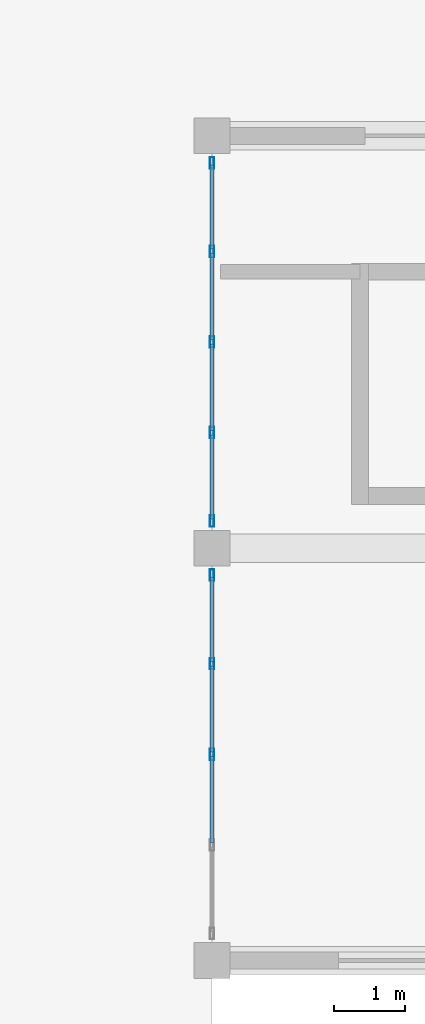
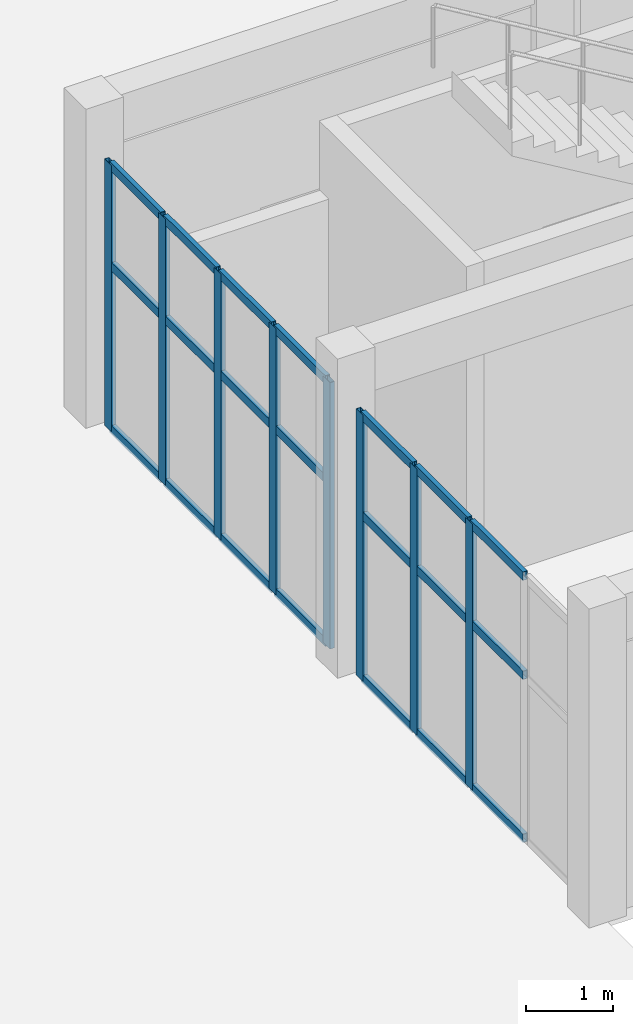
# One storey, part 20 of 132: 29 members, 2 elements without a shape of their own.
"""IFC4 building model written with IfcOpenShell, lengths in metres."""

from ifc_helpers import new_model, si_unit, direction, frame, origin, origin_2d, place, context, subcontext, project, spatial, hollow_rectangle, extrude, material, material_profile, profile_set, type_object, element, aggregate, save


model = new_model("IFC4")

# Units and contexts
model_context = context("Model", 3, precision=1e-05, world=origin(), true_north=direction((0.0, 1.0)))
body_context = subcontext(model_context, "Body", "Model", "MODEL_VIEW")
ifc_project = project(units=[si_unit("LENGTHUNIT", "METRE"), si_unit("AREAUNIT", "SQUARE_METRE"), si_unit("VOLUMEUNIT", "CUBIC_METRE"), si_unit("PLANEANGLEUNIT", "RADIAN"), si_unit("MASSUNIT", "GRAM", prefix="KILO")], contexts=[model_context])

# Site, building, storey
site_placement = place(None, origin())
site = spatial("IfcSite", under=ifc_project, at=site_placement, CompositionType="ELEMENT")
building_placement = place(site_placement, origin())
building = spatial("IfcBuilding", under=site, at=building_placement, Name="Tanwirah Colonnade Gardens", CompositionType="ELEMENT")
storey_placement = place(building_placement, origin())
storey = spatial("IfcBuildingStorey", under=building, at=storey_placement, Name="L00", CompositionType="ELEMENT", Elevation=0.0)

# Curtain wall, members
ifc_material_1 = material(Name="Bronze-anodised aluminium and solar-control low-E glass", Category="aluminium")
curtain_wall_type = type_object("IfcCurtainWallType", Name="CW-SHP", PredefinedType="NOTDEFINED", material=ifc_material_1)
curtain_wall_1_placement = place(storey_placement, origin())
curtain_wall_1 = element("IfcCurtainWall", 1, at=curtain_wall_1_placement, inside=storey, type_object=curtain_wall_type, Name="Curtain Wall CW-SHP-E-L00-W-1", PredefinedType="NOTDEFINED")
ifc_material_2 = material(Name="Bronze-anodised aluminium", Category="aluminium")
ifc_material_profile_1 = material_profile(ifc_material_2, hollow_rectangle(XDim=0.06005859375, YDim=0.159912109375, WallThickness=0.00390625, at=origin_2d()), Name="CW-MUL 60x160x4")
ifc_profile_set_1 = profile_set([ifc_material_profile_1], Name="Bronze-anodised aluminium")
member_type_1 = type_object("IfcMemberType", Name="CWM-60x160", PredefinedType="MULLION", material=ifc_profile_set_1)
member_1_placement = place(storey_placement, frame((102.0, 19.5, 0.0), z_axis=(0.0, 0.0, 1.0), x_axis=(-1.0, 0.0, 0.0)))
member_1 = element("IfcMember", 2, at=member_1_placement, type_object=member_type_1, Name="CW-SHP mullion 3", PredefinedType="MULLION", context=body_context, shape_type="SweptSolid", body=[
    extrude(hollow_rectangle(XDim=0.06005859375, YDim=0.159912109375, WallThickness=0.00390625, at=origin_2d()), origin(), (0.0, 0.0, 1.0), 3.75),
])
member_2_placement = place(storey_placement, frame((102.0, 20.77490234375, 0.0), z_axis=(0.0, 0.0, 1.0), x_axis=(-1.0, 0.0, 0.0)))
member_2 = element("IfcMember", 3, at=member_2_placement, type_object=member_type_1, Name="CW-SHP mullion 4", PredefinedType="MULLION", context=body_context, shape_type="SweptSolid", body=[
    extrude(hollow_rectangle(XDim=0.06005859375, YDim=0.159912109375, WallThickness=0.00390625, at=origin_2d()), origin(), (0.0, 0.0, 1.0), 3.75),
])
member_3_placement = place(storey_placement, frame((102.0, 22.02001953125, 0.0), z_axis=(0.0, 0.0, 1.0), x_axis=(-1.0, 0.0, 0.0)))
member_3 = element("IfcMember", 4, at=member_3_placement, type_object=member_type_1, Name="CW-SHP mullion 5", PredefinedType="MULLION", context=body_context, shape_type="SweptSolid", body=[
    extrude(hollow_rectangle(XDim=0.06005859375, YDim=0.159912109375, WallThickness=0.00390625, at=origin_2d()), origin(), (0.0, 0.0, 1.0), 3.75),
])

curtain_wall_2_placement = place(storey_placement, origin())
curtain_wall_2 = element("IfcCurtainWall", 5, at=curtain_wall_2_placement, inside=storey, type_object=curtain_wall_type, Name="Curtain Wall CW-SHP-E-L00-W-2", PredefinedType="NOTDEFINED")
member_4_placement = place(storey_placement, frame((102.0, 22.780029296875, 0.0), z_axis=(0.0, 0.0, 1.0), x_axis=(-1.0, 0.0, 0.0)))
member_4 = element("IfcMember", 6, at=member_4_placement, type_object=member_type_1, Name="CW-SHP mullion 1", PredefinedType="MULLION", context=body_context, shape_type="SweptSolid", body=[
    extrude(hollow_rectangle(XDim=0.06005859375, YDim=0.159912109375, WallThickness=0.00390625, at=origin_2d()), origin(), (0.0, 0.0, 1.0), 3.75),
])
member_5_placement = place(storey_placement, frame((102.0, 24.02490234375, 0.0), z_axis=(0.0, 0.0, 1.0), x_axis=(-1.0, 0.0, 0.0)))
member_5 = element("IfcMember", 7, at=member_5_placement, type_object=member_type_1, Name="CW-SHP mullion 2", PredefinedType="MULLION", context=body_context, shape_type="SweptSolid", body=[
    extrude(hollow_rectangle(XDim=0.06005859375, YDim=0.159912109375, WallThickness=0.00390625, at=origin_2d()), origin(), (0.0, 0.0, 1.0), 3.75),
])
member_6_placement = place(storey_placement, frame((102.0, 25.300048828125, 0.0), z_axis=(0.0, 0.0, 1.0), x_axis=(-1.0, 0.0, 0.0)))
member_6 = element("IfcMember", 8, at=member_6_placement, type_object=member_type_1, Name="CW-SHP mullion 3", PredefinedType="MULLION", context=body_context, shape_type="SweptSolid", body=[
    extrude(hollow_rectangle(XDim=0.06005859375, YDim=0.159912109375, WallThickness=0.00390625, at=origin_2d()), origin(), (0.0, 0.0, 1.0), 3.75),
])
member_7_placement = place(storey_placement, frame((102.0, 26.574951171875, 0.0), z_axis=(0.0, 0.0, 1.0), x_axis=(-1.0, 0.0, 0.0)))
member_7 = element("IfcMember", 9, at=member_7_placement, type_object=member_type_1, Name="CW-SHP mullion 4", PredefinedType="MULLION", context=body_context, shape_type="SweptSolid", body=[
    extrude(hollow_rectangle(XDim=0.06005859375, YDim=0.159912109375, WallThickness=0.00390625, at=origin_2d()), origin(), (0.0, 0.0, 1.0), 3.75),
])
member_8_placement = place(storey_placement, frame((102.0, 27.820068359375, 0.0), z_axis=(0.0, 0.0, 1.0), x_axis=(-1.0, 0.0, 0.0)))
member_8 = element("IfcMember", 10, at=member_8_placement, type_object=member_type_1, Name="CW-SHP mullion 5", PredefinedType="MULLION", context=body_context, shape_type="SweptSolid", body=[
    extrude(hollow_rectangle(XDim=0.06005859375, YDim=0.159912109375, WallThickness=0.00390625, at=origin_2d()), origin(), (0.0, 0.0, 1.0), 3.75),
])

# Member
ifc_material_profile_2 = material_profile(ifc_material_2, hollow_rectangle(XDim=0.06005859375, YDim=0.1201171875, WallThickness=0.00390625, at=origin_2d()), Name="CW-TRN 60x120x4")
ifc_profile_set_2 = profile_set([ifc_material_profile_2], Name="Bronze-anodised aluminium")
member_type_2 = type_object("IfcMemberType", Name="CWT-60x120", PredefinedType="USERDEFINED", material=ifc_profile_set_2)
member_9_placement = place(storey_placement, frame((102.0, 18.2548828125, 0.030029296875), z_axis=(0.0, 1.0, 0.0), x_axis=(-1.0, 0.0, 0.0)))
member_9 = element("IfcMember", 11, at=member_9_placement, type_object=member_type_2, Name="CW-SHP transom 2.1", ObjectType="TRANSOM", PredefinedType="USERDEFINED", context=body_context, shape_type="SweptSolid", body=[
    extrude(hollow_rectangle(XDim=0.06005859375, YDim=0.1201171875, WallThickness=0.00390625, at=origin_2d()), origin(), (0.0, 0.0, 1.0), 1.215087890625),
])

member_10_placement = place(storey_placement, frame((102.0, 18.2548828125, 2.324951171875), z_axis=(0.0, 1.0, 0.0), x_axis=(-1.0, 0.0, 0.0)))
member_10 = element("IfcMember", 12, at=member_10_placement, type_object=member_type_2, Name="CW-SHP transom 2.2", ObjectType="TRANSOM", PredefinedType="USERDEFINED", context=body_context, shape_type="SweptSolid", body=[
    extrude(hollow_rectangle(XDim=0.06005859375, YDim=0.1201171875, WallThickness=0.00390625, at=origin_2d()), origin(), (0.0, 0.0, 1.0), 1.215087890625),
])

member_11_placement = place(storey_placement, frame((102.0, 18.2548828125, 3.719970703125), z_axis=(0.0, 1.0, 0.0), x_axis=(-1.0, 0.0, 0.0)))
member_11 = element("IfcMember", 13, at=member_11_placement, type_object=member_type_2, Name="CW-SHP transom 2.3", ObjectType="TRANSOM", PredefinedType="USERDEFINED", context=body_context, shape_type="SweptSolid", body=[
    extrude(hollow_rectangle(XDim=0.06005859375, YDim=0.1201171875, WallThickness=0.00390625, at=origin_2d()), origin(), (0.0, 0.0, 1.0), 1.215087890625),
])

member_12_placement = place(storey_placement, frame((102.0, 19.530029296875, 0.030029296875), z_axis=(0.0, 1.0, 0.0), x_axis=(-1.0, 0.0, 0.0)))
member_12 = element("IfcMember", 14, at=member_12_placement, type_object=member_type_2, Name="CW-SHP transom 3.1", ObjectType="TRANSOM", PredefinedType="USERDEFINED", context=body_context, shape_type="SweptSolid", body=[
    extrude(hollow_rectangle(XDim=0.06005859375, YDim=0.1201171875, WallThickness=0.00390625, at=origin_2d()), origin(), (0.0, 0.0, 1.0), 1.215087890625),
])

member_13_placement = place(storey_placement, frame((102.0, 19.530029296875, 2.324951171875), z_axis=(0.0, 1.0, 0.0), x_axis=(-1.0, 0.0, 0.0)))
member_13 = element("IfcMember", 15, at=member_13_placement, type_object=member_type_2, Name="CW-SHP transom 3.2", ObjectType="TRANSOM", PredefinedType="USERDEFINED", context=body_context, shape_type="SweptSolid", body=[
    extrude(hollow_rectangle(XDim=0.06005859375, YDim=0.1201171875, WallThickness=0.00390625, at=origin_2d()), origin(), (0.0, 0.0, 1.0), 1.215087890625),
])

member_14_placement = place(storey_placement, frame((102.0, 19.530029296875, 3.719970703125), z_axis=(0.0, 1.0, 0.0), x_axis=(-1.0, 0.0, 0.0)))
member_14 = element("IfcMember", 16, at=member_14_placement, type_object=member_type_2, Name="CW-SHP transom 3.3", ObjectType="TRANSOM", PredefinedType="USERDEFINED", context=body_context, shape_type="SweptSolid", body=[
    extrude(hollow_rectangle(XDim=0.06005859375, YDim=0.1201171875, WallThickness=0.00390625, at=origin_2d()), origin(), (0.0, 0.0, 1.0), 1.215087890625),
])

member_15_placement = place(storey_placement, frame((102.0, 20.804931640625, 0.030029296875), z_axis=(0.0, 1.0, 0.0), x_axis=(-1.0, 0.0, 0.0)))
member_15 = element("IfcMember", 17, at=member_15_placement, type_object=member_type_2, Name="CW-SHP transom 4.1", ObjectType="TRANSOM", PredefinedType="USERDEFINED", context=body_context, shape_type="SweptSolid", body=[
    extrude(hollow_rectangle(XDim=0.06005859375, YDim=0.1201171875, WallThickness=0.00390625, at=origin_2d()), origin(), (0.0, 0.0, 1.0), 1.18505859375),
])

member_16_placement = place(storey_placement, frame((102.0, 20.804931640625, 2.324951171875), z_axis=(0.0, 1.0, 0.0), x_axis=(-1.0, 0.0, 0.0)))
member_16 = element("IfcMember", 18, at=member_16_placement, type_object=member_type_2, Name="CW-SHP transom 4.2", ObjectType="TRANSOM", PredefinedType="USERDEFINED", context=body_context, shape_type="SweptSolid", body=[
    extrude(hollow_rectangle(XDim=0.06005859375, YDim=0.1201171875, WallThickness=0.00390625, at=origin_2d()), origin(), (0.0, 0.0, 1.0), 1.18505859375),
])

member_17_placement = place(storey_placement, frame((102.0, 20.804931640625, 3.719970703125), z_axis=(0.0, 1.0, 0.0), x_axis=(-1.0, 0.0, 0.0)))
member_17 = element("IfcMember", 19, at=member_17_placement, type_object=member_type_2, Name="CW-SHP transom 4.3", ObjectType="TRANSOM", PredefinedType="USERDEFINED", context=body_context, shape_type="SweptSolid", body=[
    extrude(hollow_rectangle(XDim=0.06005859375, YDim=0.1201171875, WallThickness=0.00390625, at=origin_2d()), origin(), (0.0, 0.0, 1.0), 1.18505859375),
])

aggregate(curtain_wall_1, [member_1, member_2, member_3, member_9, member_10, member_11, member_12, member_13, member_14, member_15, member_16, member_17])

member_18_placement = place(storey_placement, frame((102.0, 22.81005859375, 0.030029296875), z_axis=(0.0, 1.0, 0.0), x_axis=(-1.0, 0.0, 0.0)))
member_18 = element("IfcMember", 20, at=member_18_placement, type_object=member_type_2, Name="CW-SHP transom 1.1", ObjectType="TRANSOM", PredefinedType="USERDEFINED", context=body_context, shape_type="SweptSolid", body=[
    extrude(hollow_rectangle(XDim=0.06005859375, YDim=0.1201171875, WallThickness=0.00390625, at=origin_2d()), origin(), (0.0, 0.0, 1.0), 1.18505859375),
])

member_19_placement = place(storey_placement, frame((102.0, 22.81005859375, 2.324951171875), z_axis=(0.0, 1.0, 0.0), x_axis=(-1.0, 0.0, 0.0)))
member_19 = element("IfcMember", 21, at=member_19_placement, type_object=member_type_2, Name="CW-SHP transom 1.2", ObjectType="TRANSOM", PredefinedType="USERDEFINED", context=body_context, shape_type="SweptSolid", body=[
    extrude(hollow_rectangle(XDim=0.06005859375, YDim=0.1201171875, WallThickness=0.00390625, at=origin_2d()), origin(), (0.0, 0.0, 1.0), 1.18505859375),
])

member_20_placement = place(storey_placement, frame((102.0, 22.81005859375, 3.719970703125), z_axis=(0.0, 1.0, 0.0), x_axis=(-1.0, 0.0, 0.0)))
member_20 = element("IfcMember", 22, at=member_20_placement, type_object=member_type_2, Name="CW-SHP transom 1.3", ObjectType="TRANSOM", PredefinedType="USERDEFINED", context=body_context, shape_type="SweptSolid", body=[
    extrude(hollow_rectangle(XDim=0.06005859375, YDim=0.1201171875, WallThickness=0.00390625, at=origin_2d()), origin(), (0.0, 0.0, 1.0), 1.18505859375),
])

member_21_placement = place(storey_placement, frame((102.0, 24.054931640625, 0.030029296875), z_axis=(0.0, 1.0, 0.0), x_axis=(-1.0, 0.0, 0.0)))
member_21 = element("IfcMember", 23, at=member_21_placement, type_object=member_type_2, Name="CW-SHP transom 2.1", ObjectType="TRANSOM", PredefinedType="USERDEFINED", context=body_context, shape_type="SweptSolid", body=[
    extrude(hollow_rectangle(XDim=0.06005859375, YDim=0.1201171875, WallThickness=0.00390625, at=origin_2d()), origin(), (0.0, 0.0, 1.0), 1.215087890625),
])

member_22_placement = place(storey_placement, frame((102.0, 24.054931640625, 2.324951171875), z_axis=(0.0, 1.0, 0.0), x_axis=(-1.0, 0.0, 0.0)))
member_22 = element("IfcMember", 24, at=member_22_placement, type_object=member_type_2, Name="CW-SHP transom 2.2", ObjectType="TRANSOM", PredefinedType="USERDEFINED", context=body_context, shape_type="SweptSolid", body=[
    extrude(hollow_rectangle(XDim=0.06005859375, YDim=0.1201171875, WallThickness=0.00390625, at=origin_2d()), origin(), (0.0, 0.0, 1.0), 1.215087890625),
])

member_23_placement = place(storey_placement, frame((102.0, 24.054931640625, 3.719970703125), z_axis=(0.0, 1.0, 0.0), x_axis=(-1.0, 0.0, 0.0)))
member_23 = element("IfcMember", 25, at=member_23_placement, type_object=member_type_2, Name="CW-SHP transom 2.3", ObjectType="TRANSOM", PredefinedType="USERDEFINED", context=body_context, shape_type="SweptSolid", body=[
    extrude(hollow_rectangle(XDim=0.06005859375, YDim=0.1201171875, WallThickness=0.00390625, at=origin_2d()), origin(), (0.0, 0.0, 1.0), 1.215087890625),
])

member_24_placement = place(storey_placement, frame((102.0, 25.330078125, 0.030029296875), z_axis=(0.0, 1.0, 0.0), x_axis=(-1.0, 0.0, 0.0)))
member_24 = element("IfcMember", 26, at=member_24_placement, type_object=member_type_2, Name="CW-SHP transom 3.1", ObjectType="TRANSOM", PredefinedType="USERDEFINED", context=body_context, shape_type="SweptSolid", body=[
    extrude(hollow_rectangle(XDim=0.06005859375, YDim=0.1201171875, WallThickness=0.00390625, at=origin_2d()), origin(), (0.0, 0.0, 1.0), 1.21484375),
])

member_25_placement = place(storey_placement, frame((102.0, 25.330078125, 2.324951171875), z_axis=(0.0, 1.0, 0.0), x_axis=(-1.0, 0.0, 0.0)))
member_25 = element("IfcMember", 27, at=member_25_placement, type_object=member_type_2, Name="CW-SHP transom 3.2", ObjectType="TRANSOM", PredefinedType="USERDEFINED", context=body_context, shape_type="SweptSolid", body=[
    extrude(hollow_rectangle(XDim=0.06005859375, YDim=0.1201171875, WallThickness=0.00390625, at=origin_2d()), origin(), (0.0, 0.0, 1.0), 1.21484375),
])

member_26_placement = place(storey_placement, frame((102.0, 25.330078125, 3.719970703125), z_axis=(0.0, 1.0, 0.0), x_axis=(-1.0, 0.0, 0.0)))
member_26 = element("IfcMember", 28, at=member_26_placement, type_object=member_type_2, Name="CW-SHP transom 3.3", ObjectType="TRANSOM", PredefinedType="USERDEFINED", context=body_context, shape_type="SweptSolid", body=[
    extrude(hollow_rectangle(XDim=0.06005859375, YDim=0.1201171875, WallThickness=0.00390625, at=origin_2d()), origin(), (0.0, 0.0, 1.0), 1.21484375),
])

member_27_placement = place(storey_placement, frame((102.0, 26.60498046875, 0.030029296875), z_axis=(0.0, 1.0, 0.0), x_axis=(-1.0, 0.0, 0.0)))
member_27 = element("IfcMember", 29, at=member_27_placement, type_object=member_type_2, Name="CW-SHP transom 4.1", ObjectType="TRANSOM", PredefinedType="USERDEFINED", context=body_context, shape_type="SweptSolid", body=[
    extrude(hollow_rectangle(XDim=0.06005859375, YDim=0.1201171875, WallThickness=0.00390625, at=origin_2d()), origin(), (0.0, 0.0, 1.0), 1.18505859375),
])

member_28_placement = place(storey_placement, frame((102.0, 26.60498046875, 2.324951171875), z_axis=(0.0, 1.0, 0.0), x_axis=(-1.0, 0.0, 0.0)))
member_28 = element("IfcMember", 30, at=member_28_placement, type_object=member_type_2, Name="CW-SHP transom 4.2", ObjectType="TRANSOM", PredefinedType="USERDEFINED", context=body_context, shape_type="SweptSolid", body=[
    extrude(hollow_rectangle(XDim=0.06005859375, YDim=0.1201171875, WallThickness=0.00390625, at=origin_2d()), origin(), (0.0, 0.0, 1.0), 1.18505859375),
])

member_29_placement = place(storey_placement, frame((102.0, 26.60498046875, 3.719970703125), z_axis=(0.0, 1.0, 0.0), x_axis=(-1.0, 0.0, 0.0)))
member_29 = element("IfcMember", 31, at=member_29_placement, type_object=member_type_2, Name="CW-SHP transom 4.3", ObjectType="TRANSOM", PredefinedType="USERDEFINED", context=body_context, shape_type="SweptSolid", body=[
    extrude(hollow_rectangle(XDim=0.06005859375, YDim=0.1201171875, WallThickness=0.00390625, at=origin_2d()), origin(), (0.0, 0.0, 1.0), 1.18505859375),
])

aggregate(curtain_wall_2, [member_4, member_5, member_6, member_7, member_8, member_18, member_19, member_20, member_21, member_22, member_23, member_24, member_25, member_26, member_27, member_28, member_29])

save(model, "model.ifc")
